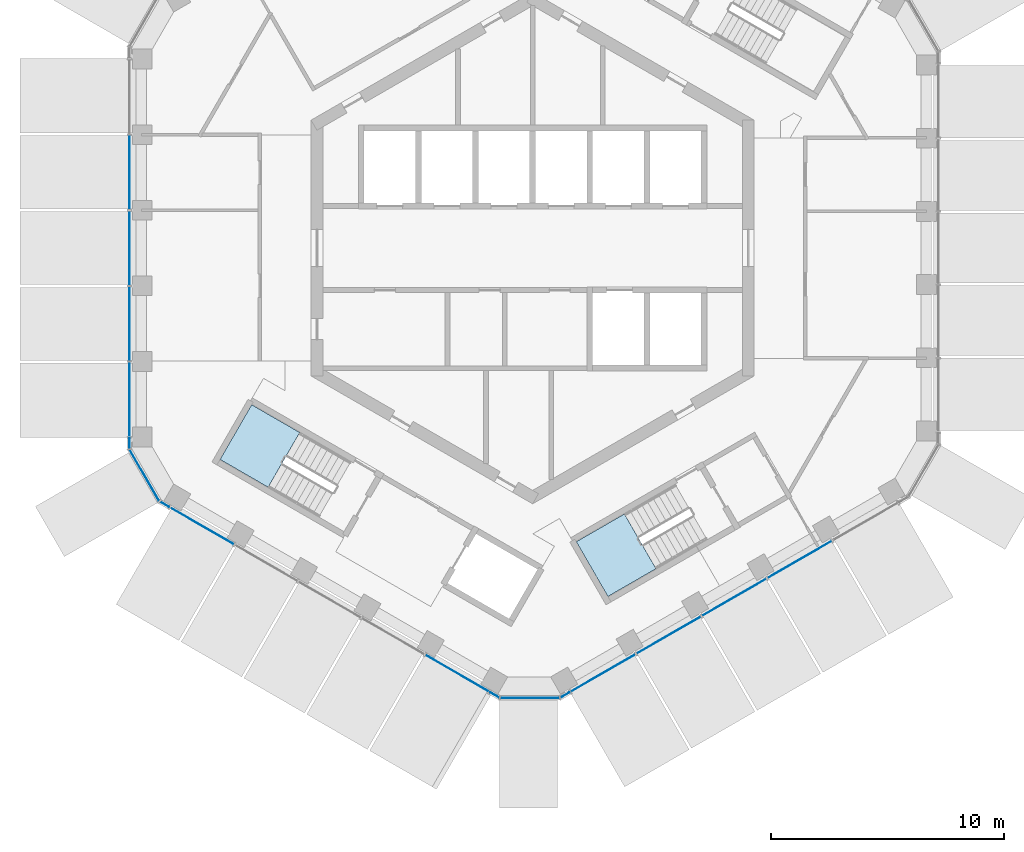
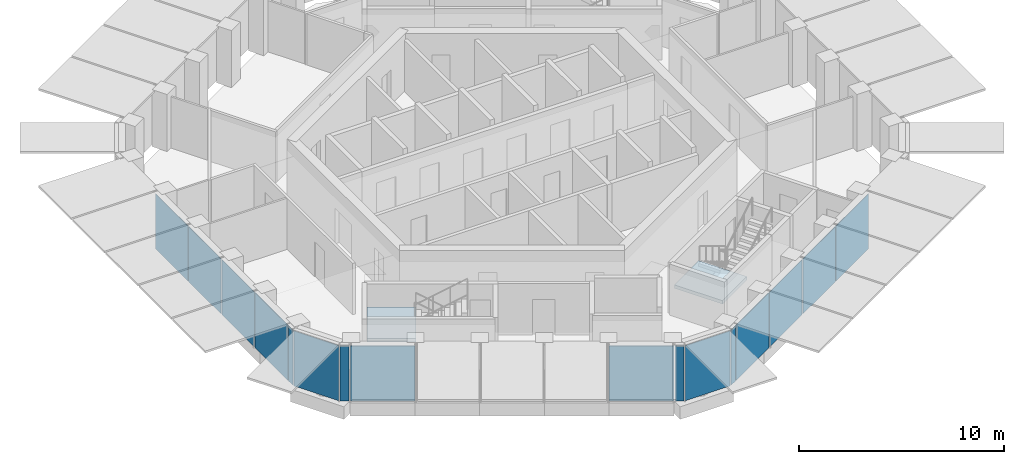
# One storey, part 7 of 17: 16 plates, 2 slabs, 7 elements without a shape of their own.
"""IFC4 building model written with IfcOpenShell, lengths in metres."""

from ifc_helpers import new_model, si_unit, direction, frame, origin, origin_2d, place, context, subcontext, project, spatial, polyline, rectangle, outline, extrude, material, layer, layer_set, type_object, element, aggregate, save


model = new_model("IFC4")

# Units and contexts
model_context = context("Model", 3, precision=1e-05, world=origin(), true_north=direction((0.0, 1.0)))
body_context = subcontext(model_context, "Body", "Model", "MODEL_VIEW")
ifc_project = project(units=[si_unit("LENGTHUNIT", "METRE"), si_unit("AREAUNIT", "SQUARE_METRE"), si_unit("VOLUMEUNIT", "CUBIC_METRE"), si_unit("PLANEANGLEUNIT", "RADIAN"), si_unit("MASSUNIT", "GRAM", prefix="KILO")], contexts=[model_context])

# Site, building, storey
site_placement = place(None, origin())
site = spatial("IfcSite", under=ifc_project, at=site_placement, CompositionType="ELEMENT")
building_placement = place(site_placement, origin())
building = spatial("IfcBuilding", under=site, at=building_placement, Name="Ayvan Gate Tower", CompositionType="ELEMENT")
storey_placement = place(building_placement, frame((0.0, 0.0, 225.699951171875)))
storey = spatial("IfcBuildingStorey", under=building, at=storey_placement, Name="L60", CompositionType="ELEMENT", Elevation=225.699951171875)

# Stair, slab
ifc_material_1 = material(Name="Concrete C40/50", Category="concrete")
stair_type = type_object("IfcStairType", Name="ST-EXIT", PredefinedType="HALF_TURN_STAIR", material=ifc_material_1)
stair_1_placement = place(storey_placement, origin())
stair_1 = element("IfcStair", 1, at=stair_1_placement, inside=storey, type_object=stair_type, Name="L60 Exit Stair S2", PredefinedType="HALF_TURN_STAIR")
ifc_layer_1 = layer(ifc_material_1, 0.199951171875)
ifc_layer_set_1 = layer_set([ifc_layer_1], Name="Concrete C40/50")
slab_type = type_object("IfcSlabType", Name="SL-LANDING-200", PredefinedType="LANDING", material=ifc_layer_set_1)
slab_1_placement = place(storey_placement, frame((0.0, 0.0, 1.5)))
slab_1 = element("IfcSlab", 2, at=slab_1_placement, type_object=slab_type, Name="STS2 landing 1", PredefinedType="LANDING", context=body_context, shape_type="SweptSolid", body=[
    extrude(outline(polyline([(-9.988525390625, -7.91064453125), (-12.049560546875, -6.720458984375), (-13.404541015625, -9.0673828125), (-11.343505859375, -10.257568359375), (-9.988525390625, -7.91064453125)])), origin(), (0.0, 0.0, 1.0), 0.199951171875),
])
aggregate(stair_1, [slab_1])

stair_2_placement = place(storey_placement, origin())
stair_2 = element("IfcStair", 3, at=stair_2_placement, inside=storey, type_object=stair_type, Name="L60 Exit Stair S3", PredefinedType="HALF_TURN_STAIR")
slab_2_placement = place(storey_placement, frame((0.0, 0.0, 1.5)))
slab_2 = element("IfcSlab", 4, at=slab_2_placement, type_object=slab_type, Name="STS3 landing 1", PredefinedType="LANDING", context=body_context, shape_type="SweptSolid", body=[
    extrude(outline(polyline([(3.93505859375, -11.405517578125), (1.873779296875, -12.595458984375), (3.228759765625, -14.9423828125), (5.2900390625, -13.75244140625), (3.93505859375, -11.405517578125)])), origin(), (0.0, 0.0, 1.0), 0.199951171875),
])
aggregate(stair_2, [slab_2])

# Curtain wall, plates
ifc_material_2 = material(Name="Bronze anodised aluminium", Category="aluminium")
ifc_layer_2 = layer(ifc_material_2, 0.199951171875)
ifc_layer_set_2 = layer_set([ifc_layer_2], Name="Bronze anodised aluminium")
curtain_wall_type_1 = type_object("IfcCurtainWallType", Name="Stick curtain wall CW-2", PredefinedType="NOTDEFINED", material=ifc_layer_set_2)
curtain_wall_1_placement = place(storey_placement, origin())
curtain_wall_1 = element("IfcCurtainWall", 5, at=curtain_wall_1_placement, inside=storey, type_object=curtain_wall_type_1, Name="Stick curtain wall CW-2 L60", PredefinedType="NOTDEFINED")
ifc_material_3 = material(Name="Clear low-iron laminated glass", Category="glass")
ifc_layer_3 = layer(ifc_material_3, 0.028076171875)
ifc_layer_set_3 = layer_set([ifc_layer_3], Name="Clear low-iron laminated glass")
plate_type_1 = type_object("IfcPlateType", Name="Stick curtain wall CW-2 glass panel", PredefinedType="CURTAIN_PANEL", material=ifc_layer_set_3)
plate_1_placement = place(storey_placement, frame((-17.293701171875, 3.24169921875, 0.0), z_axis=(0.0, 0.0, 1.0), x_axis=(0.0, -1.0, 0.0)))
plate_1 = element("IfcPlate", 6, at=plate_1_placement, type_object=plate_type_1, Name="CW-2 glass panel 2", PredefinedType="CURTAIN_PANEL", context=body_context, shape_type="SweptSolid", body=[
    extrude(rectangle(XDim=3.172119140625, YDim=0.028076171875, at=origin_2d()), origin(), (0.0, 0.0, 1.0), 3.280029296875),
])
plate_2_placement = place(storey_placement, frame((-17.293701171875, 0.0, 0.0), z_axis=(0.0, 0.0, 1.0), x_axis=(0.0, -1.0, 0.0)))
plate_2 = element("IfcPlate", 7, at=plate_2_placement, type_object=plate_type_1, Name="CW-2 glass panel 3", PredefinedType="CURTAIN_PANEL", context=body_context, shape_type="SweptSolid", body=[
    extrude(rectangle(XDim=3.1708984375, YDim=0.028076171875, at=origin_2d()), origin(), (0.0, 0.0, 1.0), 3.280029296875),
])
plate_3_placement = place(storey_placement, frame((-17.293701171875, -3.241455078125, 0.0), z_axis=(0.0, 0.0, 1.0), x_axis=(0.0, -1.0, 0.0)))
plate_3 = element("IfcPlate", 8, at=plate_3_placement, type_object=plate_type_1, Name="CW-2 glass panel 4", PredefinedType="CURTAIN_PANEL", context=body_context, shape_type="SweptSolid", body=[
    extrude(rectangle(XDim=3.172119140625, YDim=0.028076171875, at=origin_2d()), origin(), (0.0, 0.0, 1.0), 3.280029296875),
])
plate_4_placement = place(storey_placement, frame((-17.293701171875, -6.509033203125, 0.0), z_axis=(0.0, 0.0, 1.0), x_axis=(0.0, -1.0, 0.0)))
plate_4 = element("IfcPlate", 9, at=plate_4_placement, type_object=plate_type_1, Name="CW-2 glass panel 5", PredefinedType="CURTAIN_PANEL", context=body_context, shape_type="SweptSolid", body=[
    extrude(rectangle(XDim=3.22314453125, YDim=0.028076171875, at=origin_2d()), origin(), (0.0, 0.0, 1.0), 3.280029296875),
])
aggregate(curtain_wall_1, [plate_1, plate_2, plate_3, plate_4])

curtain_wall_2_placement = place(storey_placement, origin())
curtain_wall_2 = element("IfcCurtainWall", 10, at=curtain_wall_2_placement, inside=storey, type_object=curtain_wall_type_1, Name="Stick curtain wall CW-2 L60", PredefinedType="NOTDEFINED")
plate_5_placement = place(storey_placement, frame((-14.187255859375, -11.9150390625, 0.0), z_axis=(0.0, 0.0, 1.0), x_axis=(0.866025403784, -0.5, 0.0)))
plate_5 = element("IfcPlate", 11, at=plate_5_placement, type_object=plate_type_1, Name="CW-2 glass panel 1", PredefinedType="CURTAIN_PANEL", context=body_context, shape_type="SweptSolid", body=[
    extrude(rectangle(XDim=3.172119140625, YDim=0.028076171875, at=origin_2d()), origin(), (0.0, 0.0, 1.0), 3.280029296875),
])
plate_6_placement = place(storey_placement, frame((-3.22509765625, -18.244140625, 0.0), z_axis=(0.0, 0.0, 1.0), x_axis=(0.866025403784, -0.5, 0.0)))
plate_6 = element("IfcPlate", 12, at=plate_6_placement, type_object=plate_type_1, Name="CW-2 glass panel 5", PredefinedType="CURTAIN_PANEL", context=body_context, shape_type="SweptSolid", body=[
    extrude(rectangle(XDim=3.172119140625, YDim=0.028076171875, at=origin_2d()), origin(), (0.0, 0.0, 1.0), 3.280029296875),
])
aggregate(curtain_wall_2, [plate_5, plate_6])

curtain_wall_3_placement = place(storey_placement, origin())
curtain_wall_3 = element("IfcCurtainWall", 13, at=curtain_wall_3_placement, inside=storey, type_object=curtain_wall_type_1, Name="Stick curtain wall CW-2 L60", PredefinedType="NOTDEFINED")
plate_7_placement = place(storey_placement, frame((3.009765625, -18.2314453125, 0.0), z_axis=(0.0, 0.0, 1.0), x_axis=(0.866025403784, 0.5, 0.0)))
plate_7 = element("IfcPlate", 14, at=plate_7_placement, type_object=plate_type_1, Name="CW-2 glass panel 1", PredefinedType="CURTAIN_PANEL", context=body_context, shape_type="SweptSolid", body=[
    extrude(rectangle(XDim=3.222900390625, YDim=0.028076171875, at=origin_2d()), origin(), (0.0, 0.0, 1.0), 3.280029296875),
])
plate_8_placement = place(storey_placement, frame((5.839599609375, -16.59765625, 0.0), z_axis=(0.0, 0.0, 1.0), x_axis=(0.866025403784, 0.5, 0.0)))
plate_8 = element("IfcPlate", 15, at=plate_8_placement, type_object=plate_type_1, Name="CW-2 glass panel 2", PredefinedType="CURTAIN_PANEL", context=body_context, shape_type="SweptSolid", body=[
    extrude(rectangle(XDim=3.172119140625, YDim=0.028076171875, at=origin_2d()), origin(), (0.0, 0.0, 1.0), 3.280029296875),
])
plate_9_placement = place(storey_placement, frame((8.646728515625, -14.976806640625, 0.0), z_axis=(0.0, 0.0, 1.0), x_axis=(0.866025403784, 0.5, 0.0)))
plate_9 = element("IfcPlate", 16, at=plate_9_placement, type_object=plate_type_1, Name="CW-2 glass panel 3", PredefinedType="CURTAIN_PANEL", context=body_context, shape_type="SweptSolid", body=[
    extrude(rectangle(XDim=3.1708984375, YDim=0.028076171875, at=origin_2d()), origin(), (0.0, 0.0, 1.0), 3.280029296875),
])
plate_10_placement = place(storey_placement, frame((11.4541015625, -13.356201171875, 0.0), z_axis=(0.0, 0.0, 1.0), x_axis=(0.866025403784, 0.5, 0.0)))
plate_10 = element("IfcPlate", 17, at=plate_10_placement, type_object=plate_type_1, Name="CW-2 glass panel 4", PredefinedType="CURTAIN_PANEL", context=body_context, shape_type="SweptSolid", body=[
    extrude(rectangle(XDim=3.172119140625, YDim=0.028076171875, at=origin_2d()), origin(), (0.0, 0.0, 1.0), 3.280029296875),
])
aggregate(curtain_wall_3, [plate_7, plate_8, plate_9, plate_10])

ifc_layer_4 = layer(ifc_material_2, 0.199951171875)
ifc_layer_set_4 = layer_set([ifc_layer_4], Name="Bronze anodised aluminium")
curtain_wall_type_2 = type_object("IfcCurtainWallType", Name="Stick curtain wall CW-6", PredefinedType="NOTDEFINED", material=ifc_layer_set_4)
curtain_wall_4_placement = place(storey_placement, origin())
curtain_wall_4 = element("IfcCurtainWall", 18, at=curtain_wall_4_placement, inside=storey, type_object=curtain_wall_type_2, Name="Stick curtain wall CW-6 L60", PredefinedType="NOTDEFINED")
ifc_layer_5 = layer(ifc_material_3, 0.028076171875)
ifc_layer_set_5 = layer_set([ifc_layer_5], Name="Clear low-iron laminated glass")
plate_type_2 = type_object("IfcPlateType", Name="Stick curtain wall CW-6 glass panel", PredefinedType="CURTAIN_PANEL", material=ifc_layer_set_5)
plate_11_placement = place(storey_placement, frame((-17.293701171875, -8.380615234375, 0.0), z_axis=(0.0, 0.0, 1.0), x_axis=(0.0, -1.0, 0.0)))
plate_11 = element("IfcPlate", 19, at=plate_11_placement, type_object=plate_type_2, Name="CW-6 glass panel 1", PredefinedType="CURTAIN_PANEL", context=body_context, shape_type="SweptSolid", body=[
    extrude(rectangle(XDim=0.449951171875, YDim=0.028076171875, at=origin_2d()), origin(), (0.0, 0.0, 1.0), 3.280029296875),
])
plate_12_placement = place(storey_placement, frame((-16.648193359375, -9.748779296875, 0.0), z_axis=(0.0, 0.0, 1.0), x_axis=(0.5, -0.866025403784, 0.0)))
plate_12 = element("IfcPlate", 20, at=plate_12_placement, type_object=plate_type_2, Name="CW-6 glass panel 2", PredefinedType="CURTAIN_PANEL", context=body_context, shape_type="SweptSolid", body=[
    extrude(rectangle(XDim=2.532470703125, YDim=0.028076171875, at=origin_2d()), origin(), (0.0, 0.0, 1.0), 3.280029296875),
])
plate_13_placement = place(storey_placement, frame((-15.7861328125, -10.9921875, 0.0), z_axis=(0.0, 0.0, 1.0), x_axis=(0.866025403784, -0.5, 0.0)))
plate_13 = element("IfcPlate", 21, at=plate_13_placement, type_object=plate_type_2, Name="CW-6 glass panel 3", PredefinedType="CURTAIN_PANEL", context=body_context, shape_type="SweptSolid", body=[
    extrude(rectangle(XDim=0.449951171875, YDim=0.028076171875, at=origin_2d()), origin(), (0.0, 0.0, 1.0), 3.280029296875),
])
aggregate(curtain_wall_4, [plate_11, plate_12, plate_13])

curtain_wall_5_placement = place(storey_placement, origin())
curtain_wall_5 = element("IfcCurtainWall", 22, at=curtain_wall_5_placement, inside=storey, type_object=curtain_wall_type_2, Name="Stick curtain wall CW-6 L60", PredefinedType="NOTDEFINED")
plate_14_placement = place(storey_placement, frame((-1.62646484375, -19.167236328125, 0.0), z_axis=(0.0, 0.0, 1.0), x_axis=(0.866025403784, -0.5, 0.0)))
plate_14 = element("IfcPlate", 23, at=plate_14_placement, type_object=plate_type_2, Name="CW-6 glass panel 1", PredefinedType="CURTAIN_PANEL", context=body_context, shape_type="SweptSolid", body=[
    extrude(rectangle(XDim=0.449951171875, YDim=0.028076171875, at=origin_2d()), origin(), (0.0, 0.0, 1.0), 3.280029296875),
])
plate_15_placement = place(storey_placement, frame((-0.11865234375, -19.292236328125, 0.0), z_axis=(0.0, 0.0, 1.0), x_axis=(1.0, 0.0, 0.0)))
plate_15 = element("IfcPlate", 24, at=plate_15_placement, type_object=plate_type_2, Name="CW-6 glass panel 2", PredefinedType="CURTAIN_PANEL", context=body_context, shape_type="SweptSolid", body=[
    extrude(rectangle(XDim=2.532470703125, YDim=0.028076171875, at=origin_2d()), origin(), (0.0, 0.0, 1.0), 3.280029296875),
])
plate_16_placement = place(storey_placement, frame((1.38916015625, -19.167236328125, 0.0), z_axis=(0.0, 0.0, 1.0), x_axis=(0.866025403784, 0.5, 0.0)))
plate_16 = element("IfcPlate", 25, at=plate_16_placement, type_object=plate_type_2, Name="CW-6 glass panel 3", PredefinedType="CURTAIN_PANEL", context=body_context, shape_type="SweptSolid", body=[
    extrude(rectangle(XDim=0.449951171875, YDim=0.028076171875, at=origin_2d()), origin(), (0.0, 0.0, 1.0), 3.280029296875),
])
aggregate(curtain_wall_5, [plate_14, plate_15, plate_16])

save(model, "model.ifc")
